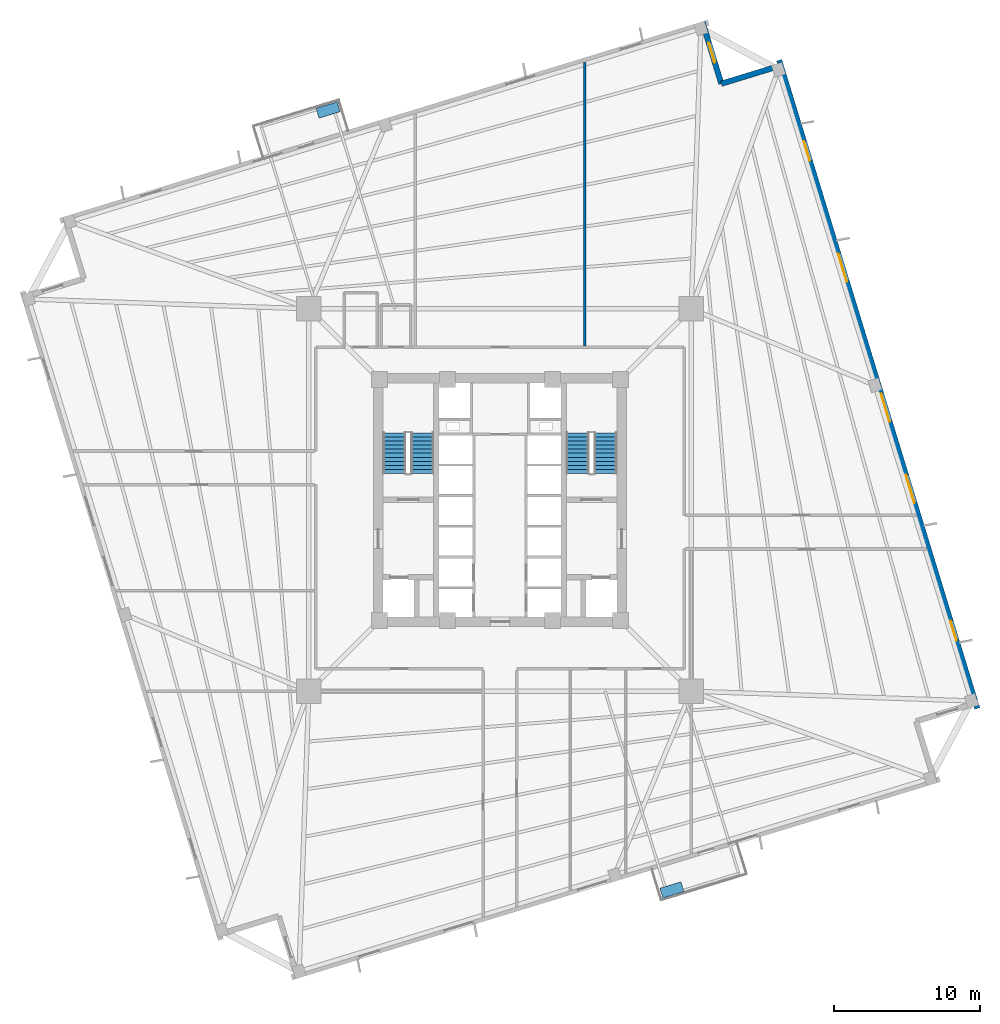
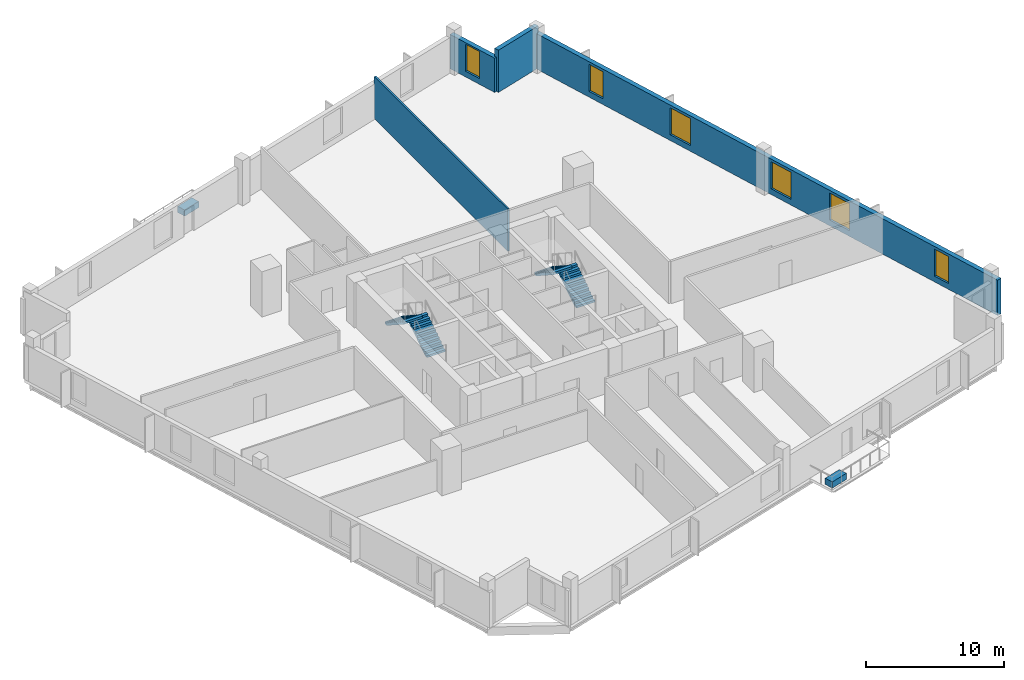
# One storey, part 5 of 8: 6 windows, 4 stair flights, 4 walls, 2 discrete accessories, 6 openings, 2 elements without a shape of their own.
"""IFC4 building model written with IfcOpenShell, lengths in metres."""

from ifc_helpers import new_model, si_unit, direction, frame, frame_2d, origin, origin_2d, place, context, subcontext, project, spatial, polyline, rectangle, outline, extrude, source, transform, mapped, material, layer, layer_set, type_object, element, fill, aggregate, save


model = new_model("IFC4")

# Units and contexts
model_context = context("Model", 3, precision=1e-05, world=origin(), true_north=direction((0.0, 1.0)))
body_context = subcontext(model_context, "Body", "Model", "MODEL_VIEW")
ifc_project = project(units=[si_unit("LENGTHUNIT", "METRE"), si_unit("AREAUNIT", "SQUARE_METRE"), si_unit("VOLUMEUNIT", "CUBIC_METRE"), si_unit("PLANEANGLEUNIT", "RADIAN"), si_unit("MASSUNIT", "GRAM", prefix="KILO"), si_unit("THERMODYNAMICTEMPERATUREUNIT", "KELVIN")], contexts=[model_context])

# Site, building, storey
site_placement = place(None, origin())
site = spatial("IfcSite", under=ifc_project, at=site_placement, CompositionType="ELEMENT")
building_placement = place(site_placement, origin())
building = spatial("IfcBuilding", under=site, at=building_placement, Name="Kosmvard Interchange Tower", CompositionType="ELEMENT")
storey_placement = place(building_placement, frame((0.0, 0.0, 111.199951171875)))
storey = spatial("IfcBuildingStorey", under=building, at=storey_placement, Name="L26", CompositionType="ELEMENT", Elevation=111.199951171875)

# Wall
ifc_material_1 = material(Name="Acoustic gypsum partition system")
ifc_layer_1 = layer(ifc_material_1, 0.14990234375, Name="Acoustic gypsum partition system")
ifc_layer_set_1 = layer_set([ifc_layer_1], Name="Acoustic gypsum partition system")
wall_type_1 = type_object("IfcWallType", Name="Acoustic Suite & Meeting Partition 150", PredefinedType="PARTITIONING", material=ifc_layer_set_1)
wall_1_placement = place(storey_placement, frame((5.800048828125, 10.544921875, 0.0), z_axis=(0.0, 0.0, 1.0), x_axis=(0.0, 1.0, 0.0)))
element("IfcWall", 1, at=wall_1_placement, inside=storey, type_object=wall_type_1, Name="L26 Room Partition 02.1", PredefinedType="PARTITIONING", context=body_context, shape_type="SweptSolid", body=[
    extrude(rectangle(XDim=19.39404296875, YDim=0.14990234375, at=frame_2d((9.697021484375, 0.0))), origin(), (0.0, 0.0, 1.0), 3.739990234375),
])

# Wall, openings, windows
ifc_material_2 = material(Name="Precast concrete C45/55", Category="concrete")
ifc_layer_2 = layer(ifc_material_2, 0.3798828125, Name="Precast concrete C45/55")
ifc_layer_set_2 = layer_set([ifc_layer_2], Name="Precast concrete C45/55")
wall_type_2 = type_object("IfcWallType", Name="Lower Tower Precast Pier Wall 380 C45/55", PredefinedType="STANDARD", material=ifc_layer_set_2)
wall_2_placement = place(storey_placement, frame((32.65771484375, -14.26513671875, 0.0), z_axis=(0.0, 0.0, 1.0), x_axis=(-0.292373127906, 0.956304320851, 0.0)))
wall_2 = element("IfcWall", 2, at=wall_2_placement, inside=storey, type_object=wall_type_2, Name="L26 Precast Facade Wall F-E", PredefinedType="STANDARD", context=body_context, shape_type="SweptSolid", body=[
    extrude(rectangle(XDim=46.380126953125, YDim=0.3798828125, at=frame_2d((23.18994140625, 0.0))), origin(), (0.0, 0.0, 1.0), 3.14013671875),
])
opening_1_placement = place(wall_2_placement, frame((4.865478515625, 0.0, 0.510009765625)))
opening_1 = element("IfcOpeningElement", 3, at=opening_1_placement, cuts=wall_2, Name="Opening L26-W06", PredefinedType="OPENING", context=body_context, shape_type="SweptSolid", body=[
    extrude(rectangle(XDim=1.39990234375, YDim=2.39990234375, at=frame_2d((0.699951171875, 1.199951171875))), frame((0.0, 0.199951171875, 0.0), z_axis=(0.0, -1.0, 0.0), x_axis=(1.0, 0.0, 0.0)), (0.0, 0.0, 1.0), 0.39990234375),
])
opening_2_placement = place(wall_2_placement, frame((14.7001953125, 0.0, 0.510009765625)))
opening_2 = element("IfcOpeningElement", 4, at=opening_2_placement, cuts=wall_2, Name="Opening L26-W07", PredefinedType="OPENING", context=body_context, shape_type="SweptSolid", body=[
    extrude(rectangle(XDim=2.0, YDim=2.39990234375, at=frame_2d((1.0, 1.199951171875))), frame((0.0, 0.199951171875, 0.0), z_axis=(0.0, -1.0, 0.0), x_axis=(1.0, 0.0, 0.0)), (0.0, 0.0, 1.0), 0.39990234375),
])
opening_3_placement = place(wall_2_placement, frame((20.512451171875, 0.0, 0.510009765625)))
opening_3 = element("IfcOpeningElement", 5, at=opening_3_placement, cuts=wall_2, Name="Opening L26-W08", PredefinedType="OPENING", context=body_context, shape_type="SweptSolid", body=[
    extrude(rectangle(XDim=2.0, YDim=2.39990234375, at=frame_2d((1.0, 1.199951171875))), frame((0.0, 0.199951171875, 0.0), z_axis=(0.0, -1.0, 0.0), x_axis=(1.0, 0.0, 0.0)), (0.0, 0.0, 1.0), 0.39990234375),
])
opening_4_placement = place(wall_2_placement, frame((30.538330078125, 0.0, 0.510009765625)))
opening_4 = element("IfcOpeningElement", 6, at=opening_4_placement, cuts=wall_2, Name="Opening L26-W09", PredefinedType="OPENING", context=body_context, shape_type="SweptSolid", body=[
    extrude(rectangle(XDim=2.0, YDim=2.39990234375, at=frame_2d((1.0, 1.199951171875))), frame((0.0, 0.199951171875, 0.0), z_axis=(0.0, -1.0, 0.0), x_axis=(1.0, 0.0, 0.0)), (0.0, 0.0, 1.0), 0.39990234375),
])
opening_5_placement = place(wall_2_placement, frame((39.186767578125, 0.0, 0.510009765625)))
opening_5 = element("IfcOpeningElement", 7, at=opening_5_placement, cuts=wall_2, Name="Opening L26-W10", PredefinedType="OPENING", context=body_context, shape_type="SweptSolid", body=[
    extrude(rectangle(XDim=1.39990234375, YDim=2.39990234375, at=frame_2d((0.699951171875, 1.199951171875))), frame((0.0, 0.199951171875, 0.0), z_axis=(0.0, -1.0, 0.0), x_axis=(1.0, 0.0, 0.0)), (0.0, 0.0, 1.0), 0.39990234375),
])
ifc_material_3 = material(Name="Low-E solar-control double glazing", Category="glass")
window_type_1 = type_object("IfcWindowType", Name="Notched Corner Feature Window 1400x2400", PartitioningType="SINGLE_PANEL", PredefinedType="WINDOW", material=ifc_material_3)
shared_shape_1 = source(origin(), body_context, "Body", "SweptSolid", [
    extrude(rectangle(XDim=1.39990234375, YDim=2.39990234375, at=frame_2d((0.699951171875, 1.199951171875))), frame((0.0, 0.030029296875, 0.0), z_axis=(0.0, -1.0, 0.0), x_axis=(1.0, 0.0, 0.0)), (0.0, 0.0, 1.0), 0.06005859375),
])
window_1_placement = place(opening_1_placement, origin())
window_1 = element("IfcWindow", 8, at=window_1_placement, inside=storey, type_object=window_type_1, Name="L26 Facade Punched Window 06", OverallHeight=2.39990234375, OverallWidth=1.39990234375, PartitioningType="SINGLE_PANEL", PredefinedType="WINDOW", context=body_context, shape_type="MappedRepresentation", body=[
    mapped(shared_shape_1, transform((0.0, 0.0, 0.0), scale=1.0)),
])
fill(opening_1, window_1)
window_2_placement = place(opening_5_placement, origin())
window_2 = element("IfcWindow", 9, at=window_2_placement, inside=storey, type_object=window_type_1, Name="L26 Facade Punched Window 10", OverallHeight=2.39990234375, OverallWidth=1.39990234375, PartitioningType="SINGLE_PANEL", PredefinedType="WINDOW", context=body_context, shape_type="MappedRepresentation", body=[
    mapped(shared_shape_1, transform((0.0, 0.0, 0.0), scale=1.0)),
])
fill(opening_5, window_2)
window_type_2 = type_object("IfcWindowType", Name="Zone 2 Office Punched Window 2000x2400", PartitioningType="SINGLE_PANEL", PredefinedType="WINDOW", material=ifc_material_3)
shared_shape_2 = source(origin(), body_context, "Body", "SweptSolid", [
    extrude(rectangle(XDim=2.0, YDim=2.39990234375, at=frame_2d((1.0, 1.199951171875))), frame((0.0, 0.030029296875, 0.0), z_axis=(0.0, -1.0, 0.0), x_axis=(1.0, 0.0, 0.0)), (0.0, 0.0, 1.0), 0.06005859375),
])
window_3_placement = place(opening_2_placement, origin())
window_3 = element("IfcWindow", 10, at=window_3_placement, inside=storey, type_object=window_type_2, Name="L26 Facade Punched Window 07", OverallHeight=2.39990234375, OverallWidth=2.0, PartitioningType="SINGLE_PANEL", PredefinedType="WINDOW", context=body_context, shape_type="MappedRepresentation", body=[
    mapped(shared_shape_2, transform((0.0, 0.0, 0.0), scale=1.0)),
])
fill(opening_2, window_3)
window_4_placement = place(opening_3_placement, origin())
window_4 = element("IfcWindow", 11, at=window_4_placement, inside=storey, type_object=window_type_2, Name="L26 Facade Punched Window 08", OverallHeight=2.39990234375, OverallWidth=2.0, PartitioningType="SINGLE_PANEL", PredefinedType="WINDOW", context=body_context, shape_type="MappedRepresentation", body=[
    mapped(shared_shape_2, transform((0.0, 0.0, 0.0), scale=1.0)),
])
fill(opening_3, window_4)
window_5_placement = place(opening_4_placement, origin())
window_5 = element("IfcWindow", 12, at=window_5_placement, inside=storey, type_object=window_type_2, Name="L26 Facade Punched Window 09", OverallHeight=2.39990234375, OverallWidth=2.0, PartitioningType="SINGLE_PANEL", PredefinedType="WINDOW", context=body_context, shape_type="MappedRepresentation", body=[
    mapped(shared_shape_2, transform((0.0, 0.0, 0.0), scale=1.0)),
])
fill(opening_4, window_5)

# Wall
wall_3_placement = place(storey_placement, frame((19.20849609375, 29.724853515625, 0.0), z_axis=(0.0, 0.0, 1.0), x_axis=(-0.956312764915, -0.292345507338, 0.0)))
element("IfcWall", 13, at=wall_3_placement, inside=storey, type_object=wall_type_2, Name="L26 Precast Facade Wall N-NE1", PredefinedType="STANDARD", context=body_context, shape_type="SweptSolid", body=[
    extrude(rectangle(XDim=4.249755859375, YDim=0.3798828125, at=frame_2d((2.125, 0.0))), origin(), (0.0, 0.0, 1.0), 3.739990234375),
])

# Wall, opening, window
wall_4_placement = place(storey_placement, frame((15.144287109375, 28.482421875, 0.0), z_axis=(0.0, 0.0, 1.0), x_axis=(-0.292373601522, 0.956304176051, 0.0)))
wall_4 = element("IfcWall", 14, at=wall_4_placement, inside=storey, type_object=wall_type_2, Name="L26 Precast Facade Wall N-NE2", PredefinedType="STANDARD", context=body_context, shape_type="SweptSolid", body=[
    extrude(rectangle(XDim=4.43994140625, YDim=0.3798828125, at=frame_2d((2.219970703125, 0.0))), origin(), (0.0, 0.0, 1.0), 3.0400390625),
])
opening_6_placement = place(wall_4_placement, frame((1.52001953125, 0.0, 0.510009765625)))
opening_6 = element("IfcOpeningElement", 15, at=opening_6_placement, cuts=wall_4, Name="Opening L26-W21", PredefinedType="OPENING", context=body_context, shape_type="SweptSolid", body=[
    extrude(rectangle(XDim=1.39990234375, YDim=2.39990234375, at=frame_2d((0.699951171875, 1.199951171875))), frame((0.0, 0.199951171875, 0.0), z_axis=(0.0, -1.0, 0.0), x_axis=(1.0, 0.0, 0.0)), (0.0, 0.0, 1.0), 0.39990234375),
])
window_6_placement = place(opening_6_placement, origin())
window_6 = element("IfcWindow", 16, at=window_6_placement, inside=storey, type_object=window_type_1, Name="L26 Corner Notch Window 21", OverallHeight=2.39990234375, OverallWidth=1.39990234375, PartitioningType="SINGLE_PANEL", PredefinedType="WINDOW", context=body_context, shape_type="MappedRepresentation", body=[
    mapped(shared_shape_1, transform((0.0, 0.0, 0.0), scale=1.0)),
])
fill(opening_6, window_6)

# Stair, stair flights
ifc_material_4 = material(Name="Concrete C50/60", Category="concrete")
stair_type = type_object("IfcStairType", Name="Dog-Leg Core Exit Stair H4000 C50/60", PredefinedType="HALF_TURN_STAIR", material=ifc_material_4)
stair_1_placement = place(storey_placement, origin())
stair_1 = element("IfcStair", 17, at=stair_1_placement, inside=storey, type_object=stair_type, Name="L26 Protected Exit Stair ST-1", PredefinedType="HALF_TURN_STAIR")
stair_flight_type = type_object("IfcStairFlightType", Name="Core Stair Flight W1550 H4000 C50/60", PredefinedType="STRAIGHT", material=ifc_material_4)
shared_shape_3 = source(origin(), body_context, "Body", "SweptSolid", [
    extrude(outline(polyline([(0.0, 0.0), (0.0, 0.181884765625), (0.280029296875, 0.181884765625), (0.280029296875, 0.363525390625), (0.56005859375, 0.363525390625), (0.56005859375, 0.54541015625), (0.840087890625, 0.54541015625), (0.840087890625, 0.727294921875), (1.1201171875, 0.727294921875), (1.1201171875, 0.9091796875), (1.39990234375, 0.9091796875), (1.39990234375, 1.0908203125), (1.679931640625, 1.0908203125), (1.679931640625, 1.272705078125), (1.9599609375, 1.272705078125), (1.9599609375, 1.45458984375), (2.239990234375, 1.45458984375), (2.239990234375, 1.636474609375), (2.52001953125, 1.636474609375), (2.52001953125, 1.818115234375), (2.800048828125, 1.818115234375), (2.800048828125, 2.0), (2.800048828125, 1.62744140625), (0.293701171875, 0.0), (0.0, 0.0)])), frame((0.0, 0.77490234375, 0.0), z_axis=(0.0, -1.0, 0.0), x_axis=(1.0, 0.0, 0.0)), (0.0, 0.0, 1.0), 1.550048828125),
])
stair_flight_1_placement = place(storey_placement, frame((-5.31494140625, 1.800048828125, 0.0), z_axis=(0.0, 0.0, 1.0), x_axis=(0.0, 1.0, 0.0)))
stair_flight_1 = element("IfcStairFlight", 18, at=stair_flight_1_placement, type_object=stair_flight_type, Name="ST-1 flight 1", NumberOfRisers=11, NumberOfTreads=10, PredefinedType="STRAIGHT", RiserHeight=0.181818182, TreadLength=0.28, context=body_context, shape_type="MappedRepresentation", body=[
    mapped(shared_shape_3, transform((0.0, 0.0, 0.0), scale=1.0)),
])
stair_flight_2_placement = place(storey_placement, frame((-7.22509765625, 4.60009765625, 2.0), z_axis=(0.0, 0.0, 1.0), x_axis=(0.0, -1.0, 0.0)))
stair_flight_2 = element("IfcStairFlight", 19, at=stair_flight_2_placement, type_object=stair_flight_type, Name="ST-1 flight 2", NumberOfRisers=11, NumberOfTreads=10, PredefinedType="STRAIGHT", RiserHeight=0.181818182, TreadLength=0.28, context=body_context, shape_type="MappedRepresentation", body=[
    mapped(shared_shape_3, transform((0.0, 0.0, 0.0), scale=1.0)),
])
aggregate(stair_1, [stair_flight_1, stair_flight_2])

stair_2_placement = place(storey_placement, origin())
stair_2 = element("IfcStair", 20, at=stair_2_placement, inside=storey, type_object=stair_type, Name="L26 Protected Exit Stair ST-2", PredefinedType="HALF_TURN_STAIR")
stair_flight_3_placement = place(storey_placement, frame((7.22509765625, 1.800048828125, 0.0), z_axis=(0.0, 0.0, 1.0), x_axis=(0.0, 1.0, 0.0)))
stair_flight_3 = element("IfcStairFlight", 21, at=stair_flight_3_placement, type_object=stair_flight_type, Name="ST-2 flight 1", NumberOfRisers=11, NumberOfTreads=10, PredefinedType="STRAIGHT", RiserHeight=0.181818182, TreadLength=0.28, context=body_context, shape_type="MappedRepresentation", body=[
    mapped(shared_shape_3, transform((0.0, 0.0, 0.0), scale=1.0)),
])
stair_flight_4_placement = place(storey_placement, frame((5.31494140625, 4.60009765625, 2.0), z_axis=(0.0, 0.0, 1.0), x_axis=(0.0, -1.0, 0.0)))
stair_flight_4 = element("IfcStairFlight", 22, at=stair_flight_4_placement, type_object=stair_flight_type, Name="ST-2 flight 2", NumberOfRisers=11, NumberOfTreads=10, PredefinedType="STRAIGHT", RiserHeight=0.181818182, TreadLength=0.28, context=body_context, shape_type="MappedRepresentation", body=[
    mapped(shared_shape_3, transform((0.0, 0.0, 0.0), scale=1.0)),
])
aggregate(stair_2, [stair_flight_3, stair_flight_4])

# Discrete accessories
ifc_material_5 = material(Name="Terracotta precast planter concrete C45/55", Category="masonry")
discrete_accessory_type = type_object("IfcDiscreteAccessoryType", Name="Precast Tree-Balcony & Terrace Planter Box", PredefinedType="USERDEFINED", material=ifc_material_5)
shared_shape_4 = source(origin(), body_context, "Body", "SweptSolid", [
    extrude(rectangle(XDim=1.5, YDim=0.699951171875, at=origin_2d()), origin(), (0.0, 0.0, 1.0), 0.550048828125),
])
for number, where, z_axis, x_axis, name in (
    (23, (11.763427734375, -26.67626953125, 0.0), (0.0, 0.0, 1.0), (0.956304755963, 0.292371704723, 0.0), "L26 Balcony Tree Planter BAL-L26-SW"),
    (24, (-11.763427734375, 26.67626953125, 0.0), (0.0, 0.0, 1.0), (0.956304755963, 0.292371704723, 0.0), "L26 Balcony Tree Planter BAL-L26-NE"),
):
    element("IfcDiscreteAccessory", number, at=place(storey_placement, frame(where, z_axis=z_axis, x_axis=x_axis)), inside=storey, type_object=discrete_accessory_type, Name=name, ObjectType="PLANTER", PredefinedType="USERDEFINED", context=body_context, shape_type="MappedRepresentation", body=[
        mapped(shared_shape_4, transform((0.0, 0.0, 0.0), scale=1.0)),
    ])

save(model, "model.ifc")
